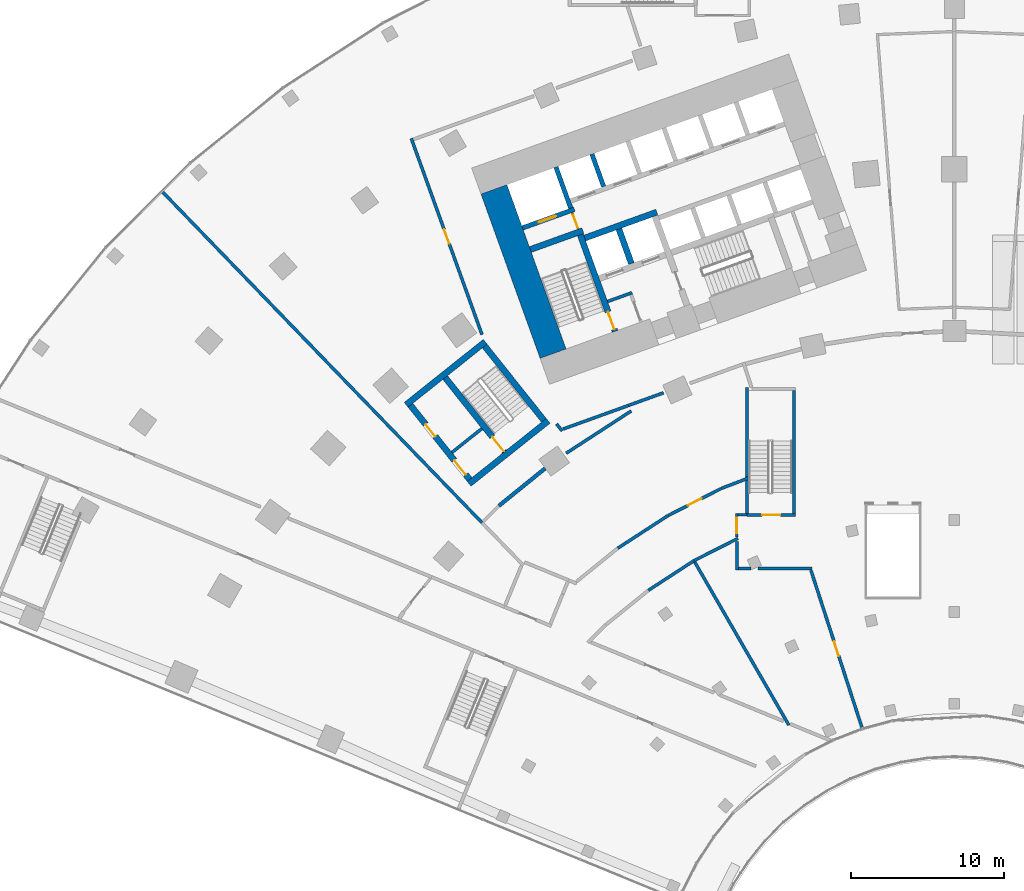
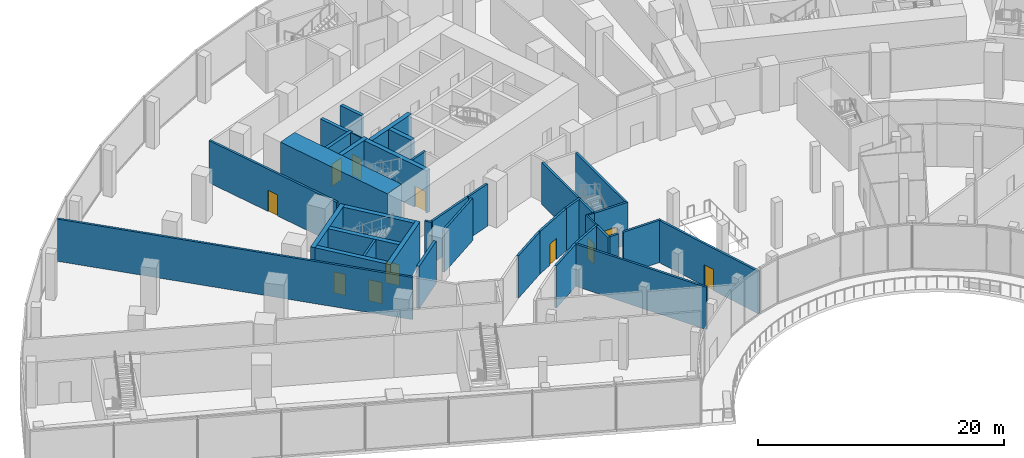
# One storey, part 23 of 40: 39 walls, 11 doors, 11 openings.
"""IFC4 building model written with IfcOpenShell, lengths in metres."""

from ifc_helpers import new_model, si_unit, direction, frame, frame_2d, origin, place, context, subcontext, project, spatial, rectangle, extrude, material, layer, layer_set, type_object, element, fill, save


model = new_model("IFC4")

# Units and contexts
model_context = context("Model", 3, precision=1e-05, world=origin(), true_north=direction((0.0, 1.0)))
body_context = subcontext(model_context, "Body", "Model", "MODEL_VIEW")
ifc_project = project(units=[si_unit("LENGTHUNIT", "METRE"), si_unit("AREAUNIT", "SQUARE_METRE"), si_unit("VOLUMEUNIT", "CUBIC_METRE"), si_unit("PLANEANGLEUNIT", "RADIAN"), si_unit("MASSUNIT", "GRAM", prefix="KILO")], contexts=[model_context])

# Site, building, storey
site_placement = place(None, origin())
site = spatial("IfcSite", under=ifc_project, at=site_placement, CompositionType="ELEMENT")
building_placement = place(site_placement, origin())
building = spatial("IfcBuilding", under=site, at=building_placement, Name="Stone Belt Terrace Tower", CompositionType="ELEMENT")
storey_placement = place(building_placement, frame((0.0, 0.0, 7.0)))
storey = spatial("IfcBuildingStorey", under=building, at=storey_placement, Name="L01", CompositionType="ELEMENT", Elevation=7.0)

# Wall
ifc_material_1 = material(Name="Concrete B30", Category="concrete")
ifc_layer_1 = layer(ifc_material_1, 0.25)
ifc_layer_set_1 = layer_set([ifc_layer_1], Name="Compartment wall 250")
wall_type_1 = type_object("IfcWallType", Name="Compartment wall 250", PredefinedType="SOLIDWALL", material=ifc_layer_set_1)
wall_1_placement = place(storey_placement, frame((-29.73486328125, 33.0341796875, 0.0), z_axis=(0.0, 0.0, 1.0), x_axis=(0.777272744525, 0.629163794746, 0.0)))
element("IfcWall", 1, at=wall_1_placement, inside=storey, type_object=wall_type_1, Name="Compartment wall L01 2", PredefinedType="SOLIDWALL", context=body_context, shape_type="SweptSolid", body=[
    extrude(rectangle(XDim=3.875244140625, YDim=0.25, at=frame_2d((1.9375, 0.0))), origin(), (0.0, 0.0, 1.0), 4.199951171875),
])

# Wall, opening, door
ifc_material_2 = material(Name="Plasterboard partition")
ifc_layer_2 = layer(ifc_material_2, 0.10009765625)
ifc_layer_set_2 = layer_set([ifc_layer_2], Name="Core partition 100")
wall_type_2 = type_object("IfcWallType", Name="Core partition 100", PredefinedType="PARTITIONING", material=ifc_layer_set_2)
wall_2_placement = place(storey_placement, frame((-24.555908203125, 51.10400390625, 0.0), z_axis=(0.0, 0.0, 1.0), x_axis=(-0.338621735342, 0.94092258999, 0.0)))
wall_2 = element("IfcWall", 2, at=wall_2_placement, inside=storey, type_object=wall_type_2, Name="Core A wall", PredefinedType="PARTITIONING", context=body_context, shape_type="SweptSolid", body=[
    extrude(rectangle(XDim=1.14990234375, YDim=0.10009765625, at=frame_2d((0.574951171875, 0.0))), origin(), (0.0, 0.0, 1.0), 4.199951171875),
])
opening_1_placement = place(wall_2_placement, frame((0.050048828125, 0.0, 0.0)))
opening_1 = element("IfcOpeningElement", 3, at=opening_1_placement, cuts=wall_2, Name="Opening L01-C01", PredefinedType="OPENING", context=body_context, shape_type="SweptSolid", body=[
    extrude(rectangle(XDim=1.0, YDim=2.10009765625, at=frame_2d((0.5, 1.050048828125))), frame((0.0, 0.06005859375, 0.0), z_axis=(0.0, -1.0, 0.0), x_axis=(1.0, 0.0, 0.0)), (0.0, 0.0, 1.0), 0.1201171875),
])
ifc_material_3 = material(Name="Timber door leaf", Category="wood")
door_type_1 = type_object("IfcDoorType", Name="Core room door 1000", OperationType="SINGLE_SWING_LEFT", PredefinedType="DOOR", material=ifc_material_3)
door_1_placement = place(opening_1_placement, origin())
door_1 = element("IfcDoor", 4, at=door_1_placement, inside=storey, type_object=door_type_1, Name="Service lift lobby door core A", OperationType="SINGLE_SWING_RIGHT", OverallHeight=2.10009765625, OverallWidth=1.0, PredefinedType="DOOR", context=body_context, shape_type="SweptSolid", body=[
    extrude(rectangle(XDim=1.0, YDim=2.10009765625, at=frame_2d((0.5, 1.050048828125))), frame((0.0, 0.02490234375, 0.0), z_axis=(0.0, -1.0, 0.0), x_axis=(1.0, 0.0, 0.0)), (0.0, 0.0, 1.0), 0.050048828125),
])
fill(opening_1, door_1)

# Walls
ifc_material_4 = material(Name="Concrete B80", Category="concrete")
ifc_layer_3 = layer(ifc_material_4, 1.800048828125)
ifc_layer_set_3 = layer_set([ifc_layer_3], Name="Core wall 1800 B80")
wall_type_3 = type_object("IfcWallType", Name="Core wall 1800 B80", PredefinedType="SHEAR", material=ifc_layer_set_3)
wall_3_placement = place(storey_placement, frame((-26.197509765625, 42.96728515625, 0.0), z_axis=(0.0, 0.0, 1.0), x_axis=(-0.338625431531, 0.940921259788, 0.0)))
element("IfcWall", 5, at=wall_3_placement, inside=storey, type_object=wall_type_3, Name="Core A wall end_a L01", PredefinedType="SHEAR", context=body_context, shape_type="SweptSolid", body=[
    extrude(rectangle(XDim=11.400146484375, YDim=1.800048828125, at=frame_2d((5.7001953125, 0.0))), origin(), (0.0, 0.0, 1.0), 4.60009765625),
])
ifc_layer_4 = layer(ifc_material_4, 0.39990234375)
ifc_layer_set_4 = layer_set([ifc_layer_4], Name="Fire-fighting lift shaft wall 400")
wall_type_4 = type_object("IfcWallType", Name="Fire-fighting lift shaft wall 400", PredefinedType="SHEAR", material=ifc_layer_set_4)
wall_4_placement = place(storey_placement, frame((-24.130615234375, 50.512939453125, 0.0), z_axis=(0.0, 0.0, 1.0), x_axis=(0.94091168377, 0.338652038744, 0.0)))
element("IfcWall", 6, at=wall_4_placement, inside=storey, type_object=wall_type_4, Name="Core A wall", PredefinedType="SHEAR", context=body_context, shape_type="SweptSolid", body=[
    extrude(rectangle(XDim=5.000244140625, YDim=0.39990234375, at=frame_2d((2.5, 0.0))), origin(), (0.0, 0.0, 1.0), 4.199951171875),
])
wall_5_placement = place(storey_placement, frame((-21.0859375, 48.845458984375, 0.0), z_axis=(0.0, 0.0, 1.0), x_axis=(-0.338629416206, 0.940919825745, 0.0)))
element("IfcWall", 7, at=wall_5_placement, inside=storey, type_object=wall_type_4, Name="Core A wall", PredefinedType="SHEAR", context=body_context, shape_type="SweptSolid", body=[
    extrude(rectangle(XDim=2.400146484375, YDim=0.39990234375, at=frame_2d((1.2001953125, 0.0))), origin(), (0.0, 0.0, 1.0), 4.199951171875),
])

# Wall, opening, door
ifc_layer_5 = layer(ifc_material_4, 0.300048828125)
ifc_layer_set_5 = layer_set([ifc_layer_5], Name="Lift shaft wall 300")
wall_type_5 = type_object("IfcWallType", Name="Lift shaft wall 300", PredefinedType="SHEAR", material=ifc_layer_set_5)
wall_6_placement = place(storey_placement, frame((-28.195068359375, 51.17578125, 0.0), z_axis=(0.0, 0.0, 1.0), x_axis=(0.940901243567, 0.338681044427, 0.0)))
wall_6 = element("IfcWall", 8, at=wall_6_placement, inside=storey, type_object=wall_type_5, Name="Core A wall", PredefinedType="SHEAR", context=body_context, shape_type="SweptSolid", body=[
    extrude(rectangle(XDim=3.599853515625, YDim=0.300048828125, at=frame_2d((1.7998046875, 0.0))), origin(), (0.0, 0.0, 1.0), 4.199951171875),
])
opening_2_placement = place(wall_6_placement, frame((1.1201171875, 0.0, 0.0)))
opening_2 = element("IfcOpeningElement", 9, at=opening_2_placement, cuts=wall_6, Name="Opening L01-LD09", PredefinedType="OPENING", context=body_context, shape_type="SweptSolid", body=[
    extrude(rectangle(XDim=1.199951171875, YDim=2.199951171875, at=frame_2d((0.60009765625, 1.10009765625))), frame((0.0, 0.159912109375, 0.0), z_axis=(0.0, -1.0, 0.0), x_axis=(1.0, 0.0, 0.0)), (0.0, 0.0, 1.0), 0.320068359375),
])
ifc_material_5 = material(Name="Stainless steel door leaf", Category="steel")
door_type_2 = type_object("IfcDoorType", Name="Landing door 1200", OperationType="SLIDING_TO_LEFT", PredefinedType="DOOR", material=ifc_material_5)
door_2_placement = place(opening_2_placement, origin())
door_2 = element("IfcDoor", 10, at=door_2_placement, inside=storey, type_object=door_type_2, Name="Landing door SV1 core A", OperationType="SLIDING_TO_LEFT", OverallHeight=2.199951171875, OverallWidth=1.199951171875, PredefinedType="DOOR", context=body_context, shape_type="SweptSolid", body=[
    extrude(rectangle(XDim=1.199951171875, YDim=2.199951171875, at=frame_2d((0.60009765625, 1.10009765625))), frame((0.0, 0.02490234375, 0.0), z_axis=(0.0, -1.0, 0.0), x_axis=(1.0, 0.0, 0.0)), (0.0, 0.0, 1.0), 0.050048828125),
])
fill(opening_2, door_2)

# Walls
wall_7_placement = place(storey_placement, frame((-25.046875, 52.46826171875, 0.0), z_axis=(0.0, 0.0, 1.0), x_axis=(-0.338549588058, 0.940948551423, 0.0)))
element("IfcWall", 11, at=wall_7_placement, inside=storey, type_object=wall_type_5, Name="Core A wall", PredefinedType="SHEAR", context=body_context, shape_type="SweptSolid", body=[
    extrude(rectangle(XDim=2.849853515625, YDim=0.300048828125, at=frame_2d((1.4248046875, 0.0))), origin(), (0.0, 0.0, 1.0), 4.199951171875),
])
wall_8_placement = place(storey_placement, frame((-22.897705078125, 53.87939453125, 0.0), z_axis=(0.0, 0.0, 1.0), x_axis=(-0.338535034312, 0.940953787677, 0.0)))
element("IfcWall", 12, at=wall_8_placement, inside=storey, type_object=wall_type_5, Name="Core A wall", PredefinedType="SHEAR", context=body_context, shape_type="SweptSolid", body=[
    extrude(rectangle(XDim=2.25, YDim=0.300048828125, at=frame_2d((1.125, 0.0))), origin(), (0.0, 0.0, 1.0), 4.199951171875),
])
ifc_material_6 = material(Name="Blockwork wall, plastered both faces", Category="masonry")
ifc_layer_6 = layer(ifc_material_6, 0.199951171875)
ifc_layer_set_6 = layer_set([ifc_layer_6], Name="Podium demising wall 200")
wall_type_6 = type_object("IfcWallType", Name="Podium demising wall 200", PredefinedType="PARTITIONING", material=ifc_layer_set_6)
wall_9_placement = place(storey_placement, frame((-51.75537109375, 53.587646484375, 0.0), z_axis=(0.0, 0.0, 1.0), x_axis=(0.694673955878, -0.719324749349, 0.0)))
element("IfcWall", 13, at=wall_9_placement, inside=storey, type_object=wall_type_6, Name="Podium demising wall 200", PredefinedType="PARTITIONING", context=body_context, shape_type="SweptSolid", body=[
    extrude(rectangle(XDim=30.108154296875, YDim=0.199951171875, at=frame_2d((15.05419921875, 0.0))), origin(), (0.0, 0.0, 1.0), 4.199951171875),
])

# Wall, opening, door
wall_10_placement = place(storey_placement, frame((-35.453857421875, 57.01416015625, 0.0), z_axis=(0.0, 0.0, 1.0), x_axis=(0.338996403391, -0.940787669184, 0.0)))
wall_10 = element("IfcWall", 14, at=wall_10_placement, inside=storey, type_object=wall_type_6, Name="Podium demising wall 200", PredefinedType="PARTITIONING", context=body_context, shape_type="SweptSolid", body=[
    extrude(rectangle(XDim=13.610107421875, YDim=0.199951171875, at=frame_2d((6.80517578125, 0.0))), origin(), (0.0, 0.0, 1.0), 4.199951171875),
])
opening_3_placement = place(wall_10_placement, frame((6.304931640625, 0.0, 0.0)))
opening_3 = element("IfcOpeningElement", 15, at=opening_3_placement, cuts=wall_10, Name="Opening L01-P26", PredefinedType="OPENING", context=body_context, shape_type="SweptSolid", body=[
    extrude(rectangle(XDim=1.0, YDim=2.10009765625, at=frame_2d((0.5, 1.050048828125))), frame((0.0, 0.10986328125, 0.0), z_axis=(0.0, -1.0, 0.0), x_axis=(1.0, 0.0, 0.0)), (0.0, 0.0, 1.0), 0.219970703125),
])
ifc_material_7 = material(Name="Steel framed door leaf", Category="steel")
door_type_3 = type_object("IfcDoorType", Name="Podium door single 1000", OperationType="SINGLE_SWING_LEFT", PredefinedType="DOOR", material=ifc_material_7)
door_3_placement = place(opening_3_placement, origin())
door_3 = element("IfcDoor", 16, at=door_3_placement, inside=storey, type_object=door_type_3, Name="Podium door single 1000", OperationType="SINGLE_SWING_RIGHT", OverallHeight=2.10009765625, OverallWidth=1.0, PredefinedType="DOOR", context=body_context, shape_type="SweptSolid", body=[
    extrude(rectangle(XDim=1.0, YDim=2.10009765625, at=frame_2d((0.5, 1.050048828125))), frame((0.0, 0.02490234375, 0.0), z_axis=(0.0, -1.0, 0.0), x_axis=(1.0, 0.0, 0.0)), (0.0, 0.0, 1.0), 0.050048828125),
])
fill(opening_3, door_3)

# Walls
wall_11_placement = place(storey_placement, frame((-25.344482421875, 36.4638671875, 0.0), z_axis=(0.0, 0.0, 1.0), x_axis=(0.838508558451, 0.544888426565, 0.0)))
element("IfcWall", 17, at=wall_11_placement, inside=storey, type_object=wall_type_6, Name="Podium demising wall 200", PredefinedType="PARTITIONING", context=body_context, shape_type="SweptSolid", body=[
    extrude(rectangle(XDim=5.067138671875, YDim=0.199951171875, at=frame_2d((2.53369140625, 0.0))), origin(), (0.0, 0.0, 1.0), 4.199951171875),
])
wall_12_placement = place(storey_placement, frame((-25.969970703125, 38.3798828125, 0.0), z_axis=(0.0, 0.0, 1.0), x_axis=(0.619630859063, -0.784893367596, 0.0)))
element("IfcWall", 18, at=wall_12_placement, inside=storey, type_object=wall_type_6, Name="Podium demising wall 200", PredefinedType="PARTITIONING", context=body_context, shape_type="SweptSolid", body=[
    extrude(rectangle(XDim=0.58935546875, YDim=0.199951171875, at=frame_2d((0.294677734375, 0.0))), origin(), (0.0, 0.0, 1.0), 4.199951171875),
])
wall_13_placement = place(storey_placement, frame((-25.548095703125, 38.0439453125, 0.0), z_axis=(0.0, 0.0, 1.0), x_axis=(0.94075645794, 0.339083008782, 0.0)))
element("IfcWall", 19, at=wall_13_placement, inside=storey, type_object=wall_type_6, Name="Podium demising wall 200", PredefinedType="PARTITIONING", context=body_context, shape_type="SweptSolid", body=[
    extrude(rectangle(XDim=4.541748046875, YDim=0.199951171875, at=frame_2d((2.27099609375, 0.0))), origin(), (0.0, 0.0, 1.0), 4.199951171875),
])
wall_14_placement = place(storey_placement, frame((-21.9755859375, 30.262939453125, 0.0), z_axis=(0.0, 0.0, 1.0), x_axis=(0.838682356888, 0.544620881206, 0.0)))
element("IfcWall", 20, at=wall_14_placement, inside=storey, type_object=wall_type_6, Name="Podium demising wall 200", PredefinedType="PARTITIONING", context=body_context, shape_type="SweptSolid", body=[
    extrude(rectangle(XDim=3.900390625, YDim=0.199951171875, at=frame_2d((1.9501953125, 0.0))), origin(), (0.0, 0.0, 1.0), 4.199951171875),
])
wall_15_placement = place(storey_placement, frame((-21.274658203125, 39.587890625, 0.0), z_axis=(0.0, 0.0, 1.0), x_axis=(0.940902775347, 0.338676788906, 0.0)))
element("IfcWall", 21, at=wall_15_placement, inside=storey, type_object=wall_type_6, Name="Podium demising wall 200", PredefinedType="PARTITIONING", context=body_context, shape_type="SweptSolid", body=[
    extrude(rectangle(XDim=2.4306640625, YDim=0.199951171875, at=frame_2d((1.21533203125, 0.0))), origin(), (0.0, 0.0, 1.0), 4.199951171875),
])
wall_16_placement = place(storey_placement, frame((-19.9755859375, 27.5126953125, 0.0), z_axis=(0.0, 0.0, 1.0), x_axis=(0.838050073908, 0.545593322561, 0.0)))
element("IfcWall", 22, at=wall_16_placement, inside=storey, type_object=wall_type_6, Name="Podium demising wall 200", PredefinedType="PARTITIONING", context=body_context, shape_type="SweptSolid", body=[
    extrude(rectangle(XDim=3.54541015625, YDim=0.199951171875, at=frame_2d((1.772705078125, 0.0))), origin(), (0.0, 0.0, 1.0), 4.199951171875),
])

# Wall, opening, door
wall_17_placement = place(storey_placement, frame((-18.6953125, 32.392333984375, 0.0), z_axis=(0.0, 0.0, 1.0), x_axis=(0.890824328321, 0.454347902022, 0.0)))
wall_17 = element("IfcWall", 23, at=wall_17_placement, inside=storey, type_object=wall_type_6, Name="Podium demising wall 200", PredefinedType="PARTITIONING", context=body_context, shape_type="SweptSolid", body=[
    extrude(rectangle(XDim=3.906982421875, YDim=0.199951171875, at=frame_2d((1.95361328125, 0.0))), origin(), (0.0, 0.0, 1.0), 4.199951171875),
])
opening_4_placement = place(wall_17_placement, frame((1.45361328125, 0.0, 0.0)))
opening_4 = element("IfcOpeningElement", 24, at=opening_4_placement, cuts=wall_17, Name="Opening L01-P27", PredefinedType="OPENING", context=body_context, shape_type="SweptSolid", body=[
    extrude(rectangle(XDim=1.0, YDim=2.10009765625, at=frame_2d((0.5, 1.050048828125))), frame((0.0, 0.10986328125, 0.0), z_axis=(0.0, -1.0, 0.0), x_axis=(1.0, 0.0, 0.0)), (0.0, 0.0, 1.0), 0.219970703125),
])
door_4_placement = place(opening_4_placement, origin())
door_4 = element("IfcDoor", 25, at=door_4_placement, inside=storey, type_object=door_type_3, Name="Podium door single 1000", OperationType="SINGLE_SWING_LEFT", OverallHeight=2.10009765625, OverallWidth=1.0, PredefinedType="DOOR", context=body_context, shape_type="SweptSolid", body=[
    extrude(rectangle(XDim=1.0, YDim=2.10009765625, at=frame_2d((0.5, 1.050048828125))), frame((0.0, 0.02490234375, 0.0), z_axis=(0.0, -1.0, 0.0), x_axis=(1.0, 0.0, 0.0)), (0.0, 0.0, 1.0), 0.050048828125),
])
fill(opening_4, door_4)

# Walls
wall_18_placement = place(storey_placement, frame((-16.9951171875, 29.452392578125, 0.0), z_axis=(0.0, 0.0, 1.0), x_axis=(0.891863612921, 0.452304428397, 0.0)))
element("IfcWall", 26, at=wall_18_placement, inside=storey, type_object=wall_type_6, Name="Podium demising wall 200", PredefinedType="PARTITIONING", context=body_context, shape_type="SweptSolid", body=[
    extrude(rectangle(XDim=3.218017578125, YDim=0.199951171875, at=frame_2d((1.60888671875, 0.0))), origin(), (0.0, 0.0, 1.0), 4.199951171875),
])
wall_19_placement = place(storey_placement, frame((-16.949951171875, 29.36328125, 0.0), z_axis=(0.0, 0.0, 1.0), x_axis=(0.499745957216, -0.866172025782, 0.0)))
element("IfcWall", 27, at=wall_19_placement, inside=storey, type_object=wall_type_6, Name="Podium demising wall 200", PredefinedType="PARTITIONING", context=body_context, shape_type="SweptSolid", body=[
    extrude(rectangle(XDim=12.28955078125, YDim=0.199951171875, at=frame_2d((6.144775390625, 0.0))), origin(), (0.0, 0.0, 1.0), 4.199951171875),
])
wall_20_placement = place(storey_placement, frame((-15.205078125, 34.171875, 0.0), z_axis=(0.0, 0.0, 1.0), x_axis=(0.934483662883, 0.356006016529, 0.0)))
element("IfcWall", 28, at=wall_20_placement, inside=storey, type_object=wall_type_6, Name="Podium demising wall 200", PredefinedType="PARTITIONING", context=body_context, shape_type="SweptSolid", body=[
    extrude(rectangle(XDim=1.899658203125, YDim=0.199951171875, at=frame_2d((0.94970703125, 0.0))), origin(), (0.0, 0.0, 1.0), 4.199951171875),
])
wall_21_placement = place(storey_placement, frame((-14.199951171875, 28.840087890625, 0.0), z_axis=(0.0, 0.0, 1.0), x_axis=(0.0, 1.0, 0.0)))
element("IfcWall", 29, at=wall_21_placement, inside=storey, type_object=wall_type_6, Name="Podium demising wall 200", PredefinedType="PARTITIONING", context=body_context, shape_type="SweptSolid", body=[
    extrude(rectangle(XDim=1.867919921875, YDim=0.199951171875, at=frame_2d((0.93408203125, 0.0))), origin(), (0.0, 0.0, 1.0), 4.199951171875),
])
wall_22_placement = place(storey_placement, frame((-14.10009765625, 28.93994140625, 0.0), z_axis=(0.0, 0.0, 1.0), x_axis=(1.0, 0.0, 0.0)))
element("IfcWall", 30, at=wall_22_placement, inside=storey, type_object=wall_type_6, Name="Podium demising wall 200", PredefinedType="PARTITIONING", context=body_context, shape_type="SweptSolid", body=[
    extrude(rectangle(XDim=0.810546875, YDim=0.199951171875, at=frame_2d((0.4052734375, 0.0))), origin(), (0.0, 0.0, 1.0), 4.199951171875),
])
wall_23_placement = place(storey_placement, frame((-12.822998046875, 28.93994140625, 0.0), z_axis=(0.0, 0.0, 1.0), x_axis=(1.0, 0.0, 0.0)))
element("IfcWall", 31, at=wall_23_placement, inside=storey, type_object=wall_type_6, Name="Podium demising wall 200", PredefinedType="PARTITIONING", context=body_context, shape_type="SweptSolid", body=[
    extrude(rectangle(XDim=3.528076171875, YDim=0.199951171875, at=frame_2d((1.76416015625, 0.0))), origin(), (0.0, 0.0, 1.0), 4.199951171875),
])

# Wall, opening, door
wall_24_placement = place(storey_placement, frame((-9.36083984375, 28.819091796875, 0.0), z_axis=(0.0, 0.0, 1.0), x_axis=(0.308530690488, -0.951214388572, 0.0)))
wall_24 = element("IfcWall", 32, at=wall_24_placement, inside=storey, type_object=wall_type_6, Name="Podium demising wall 200", PredefinedType="PARTITIONING", context=body_context, shape_type="SweptSolid", body=[
    extrude(rectangle(XDim=10.795654296875, YDim=0.199951171875, at=frame_2d((5.39794921875, 0.0))), origin(), (0.0, 0.0, 1.0), 4.199951171875),
])
opening_5_placement = place(wall_24_placement, frame((4.886962890625, 0.0, 0.0)))
opening_5 = element("IfcOpeningElement", 33, at=opening_5_placement, cuts=wall_24, Name="Opening L01-P24", PredefinedType="OPENING", context=body_context, shape_type="SweptSolid", body=[
    extrude(rectangle(XDim=1.0, YDim=2.10009765625, at=frame_2d((0.5, 1.050048828125))), frame((0.0, 0.10986328125, 0.0), z_axis=(0.0, -1.0, 0.0), x_axis=(1.0, 0.0, 0.0)), (0.0, 0.0, 1.0), 0.219970703125),
])
door_5_placement = place(opening_5_placement, origin())
door_5 = element("IfcDoor", 34, at=door_5_placement, inside=storey, type_object=door_type_3, Name="Podium door single 1000", OperationType="SINGLE_SWING_RIGHT", OverallHeight=2.10009765625, OverallWidth=1.0, PredefinedType="DOOR", context=body_context, shape_type="SweptSolid", body=[
    extrude(rectangle(XDim=1.0, YDim=2.10009765625, at=frame_2d((0.5, 1.050048828125))), frame((0.0, 0.02490234375, 0.0), z_axis=(0.0, -1.0, 0.0), x_axis=(1.0, 0.0, 0.0)), (0.0, 0.0, 1.0), 0.050048828125),
])
fill(opening_5, door_5)

ifc_material_8 = material(Name="Gypsum board on steel stud partition", Category="steel")
ifc_layer_7 = layer(ifc_material_8, 0.14990234375)
ifc_layer_set_7 = layer_set([ifc_layer_7], Name="Podium partition 150")
wall_type_7 = type_object("IfcWallType", Name="Podium partition 150", PredefinedType="PARTITIONING", material=ifc_layer_set_7)
wall_25_placement = place(storey_placement, frame((-14.199951171875, 30.982177734375, 0.0), z_axis=(0.0, 0.0, 1.0), x_axis=(0.0, 1.0, 0.0)))
wall_25 = element("IfcWall", 35, at=wall_25_placement, inside=storey, type_object=wall_type_7, Name="Podium partition 150", PredefinedType="PARTITIONING", context=body_context, shape_type="SweptSolid", body=[
    extrude(rectangle(XDim=1.53271484375, YDim=0.14990234375, at=frame_2d((0.766357421875, 0.0))), origin(), (0.0, 0.0, 1.0), 4.199951171875),
])
opening_6_placement = place(wall_25_placement, frame((0.266357421875, 0.0, 0.0)))
opening_6 = element("IfcOpeningElement", 36, at=opening_6_placement, cuts=wall_25, Name="Opening L01-P39", PredefinedType="OPENING", context=body_context, shape_type="SweptSolid", body=[
    extrude(rectangle(XDim=1.0, YDim=2.10009765625, at=frame_2d((0.5, 1.050048828125))), frame((0.0, 0.0849609375, 0.0), z_axis=(0.0, -1.0, 0.0), x_axis=(1.0, 0.0, 0.0)), (0.0, 0.0, 1.0), 0.169921875),
])
door_6_placement = place(opening_6_placement, origin())
door_6 = element("IfcDoor", 37, at=door_6_placement, inside=storey, type_object=door_type_3, Name="Podium door single 1000", OperationType="SINGLE_SWING_LEFT", OverallHeight=2.10009765625, OverallWidth=1.0, PredefinedType="DOOR", context=body_context, shape_type="SweptSolid", body=[
    extrude(rectangle(XDim=1.0, YDim=2.10009765625, at=frame_2d((0.5, 1.050048828125))), frame((0.0, 0.02490234375, 0.0), z_axis=(0.0, -1.0, 0.0), x_axis=(1.0, 0.0, 0.0)), (0.0, 0.0, 1.0), 0.050048828125),
])
fill(opening_6, door_6)

# Walls
wall_26_placement = place(storey_placement, frame((-14.125, 32.43994140625, 0.0), z_axis=(0.0, 0.0, 1.0), x_axis=(1.0, 0.0, 0.0)))
element("IfcWall", 38, at=wall_26_placement, inside=storey, type_object=wall_type_7, Name="Podium partition 150", PredefinedType="PARTITIONING", context=body_context, shape_type="SweptSolid", body=[
    extrude(rectangle(XDim=0.594970703125, YDim=0.14990234375, at=frame_2d((0.29736328125, 0.0))), origin(), (0.0, 0.0, 1.0), 4.199951171875),
])
ifc_layer_8 = layer(ifc_material_1, 0.199951171875)
ifc_layer_set_8 = layer_set([ifc_layer_8], Name="Podium stair and shaft wall 200")
wall_type_8 = type_object("IfcWallType", Name="Podium stair and shaft wall 200", PredefinedType="SOLIDWALL", material=ifc_layer_set_8)
wall_27_placement = place(storey_placement, frame((-13.530029296875, 32.5400390625, 0.0), z_axis=(0.0, 0.0, 1.0), x_axis=(0.0, 1.0, 0.0)))
element("IfcWall", 39, at=wall_27_placement, inside=storey, type_object=wall_type_8, Name="Podium stair and shaft wall 200", PredefinedType="SOLIDWALL", context=body_context, shape_type="SweptSolid", body=[
    extrude(rectangle(XDim=2.40087890625, YDim=0.199951171875, at=frame_2d((1.200439453125, 0.0))), origin(), (0.0, 0.0, 1.0), 4.199951171875),
])

# Wall, opening, door
wall_28_placement = place(storey_placement, frame((-13.530029296875, 32.43994140625, 0.0), z_axis=(0.0, 0.0, 1.0), x_axis=(1.0, 0.0, 0.0)))
wall_28 = element("IfcWall", 40, at=wall_28_placement, inside=storey, type_object=wall_type_8, Name="Podium stair and shaft wall 200", PredefinedType="SOLIDWALL", context=body_context, shape_type="SweptSolid", body=[
    extrude(rectangle(XDim=3.159912109375, YDim=0.199951171875, at=frame_2d((1.580078125, 0.0))), origin(), (0.0, 0.0, 1.0), 4.199951171875),
])
opening_7_placement = place(wall_28_placement, frame((0.97998046875, 0.0, 0.0)))
opening_7 = element("IfcOpeningElement", 41, at=opening_7_placement, cuts=wall_28, Name="Opening L01-P05", PredefinedType="OPENING", context=body_context, shape_type="SweptSolid", body=[
    extrude(rectangle(XDim=1.199951171875, YDim=2.10009765625, at=frame_2d((0.60009765625, 1.050048828125))), frame((0.0, 0.10986328125, 0.0), z_axis=(0.0, -1.0, 0.0), x_axis=(1.0, 0.0, 0.0)), (0.0, 0.0, 1.0), 0.219970703125),
])
door_type_4 = type_object("IfcDoorType", Name="Podium door fire stair 1200", OperationType="SINGLE_SWING_LEFT", PredefinedType="DOOR", material=ifc_material_7)
door_7_placement = place(opening_7_placement, origin())
door_7 = element("IfcDoor", 42, at=door_7_placement, inside=storey, type_object=door_type_4, Name="Podium door fire stair 1200", OperationType="SINGLE_SWING_LEFT", OverallHeight=2.10009765625, OverallWidth=1.199951171875, PredefinedType="DOOR", context=body_context, shape_type="SweptSolid", body=[
    extrude(rectangle(XDim=1.199951171875, YDim=2.10009765625, at=frame_2d((0.60009765625, 1.050048828125))), frame((0.0, 0.02490234375, 0.0), z_axis=(0.0, -1.0, 0.0), x_axis=(1.0, 0.0, 0.0)), (0.0, 0.0, 1.0), 0.050048828125),
])
fill(opening_7, door_7)

# Walls
wall_29_placement = place(storey_placement, frame((-13.530029296875, 34.94091796875, 0.0), z_axis=(0.0, 0.0, 1.0), x_axis=(0.0, 1.0, 0.0)))
element("IfcWall", 43, at=wall_29_placement, inside=storey, type_object=wall_type_8, Name="Podium stair and shaft wall 200", PredefinedType="SOLIDWALL", context=body_context, shape_type="SweptSolid", body=[
    extrude(rectangle(XDim=5.819091796875, YDim=0.199951171875, at=frame_2d((2.90966796875, 0.0))), origin(), (0.0, 0.0, 1.0), 4.199951171875),
])
wall_30_placement = place(storey_placement, frame((-10.469970703125, 32.5400390625, 0.0), z_axis=(0.0, 0.0, 1.0), x_axis=(0.0, 1.0, 0.0)))
element("IfcWall", 44, at=wall_30_placement, inside=storey, type_object=wall_type_8, Name="Podium stair and shaft wall 200", PredefinedType="SOLIDWALL", context=body_context, shape_type="SweptSolid", body=[
    extrude(rectangle(XDim=8.02001953125, YDim=0.199951171875, at=frame_2d((4.010009765625, 0.0))), origin(), (0.0, 0.0, 1.0), 4.199951171875),
])
ifc_material_9 = material(Name="Concrete masonry block", Category="masonry")
ifc_layer_9 = layer(ifc_material_9, 0.199951171875)
ifc_layer_set_9 = layer_set([ifc_layer_9], Name="Rated lobby wall 200")
wall_type_9 = type_object("IfcWallType", Name="Rated lobby wall 200", PredefinedType="PARTITIONING", material=ifc_layer_set_9)
wall_31_placement = place(storey_placement, frame((-22.640625, 46.373046875, 0.0), z_axis=(0.0, 0.0, 1.0), x_axis=(0.940966110313, 0.338500781747, 0.0)))
element("IfcWall", 45, at=wall_31_placement, inside=storey, type_object=wall_type_9, Name="Core A wall", PredefinedType="PARTITIONING", context=body_context, shape_type="SweptSolid", body=[
    extrude(rectangle(XDim=1.699951171875, YDim=0.199951171875, at=frame_2d((0.85009765625, 0.0))), origin(), (0.0, 0.0, 1.0), 4.199951171875),
])
wall_32_placement = place(storey_placement, frame((-30.845703125, 38.074951171875, 0.0), z_axis=(0.0, 0.0, 1.0), x_axis=(-0.782115323833, -0.623133709749, 0.0)))
element("IfcWall", 46, at=wall_32_placement, inside=storey, type_object=wall_type_9, Name="Exit stair ST3A wall", PredefinedType="PARTITIONING", context=body_context, shape_type="SweptSolid", body=[
    extrude(rectangle(XDim=2.5, YDim=0.199951171875, at=frame_2d((1.25, 0.0))), origin(), (0.0, 0.0, 1.0), 4.199951171875),
])
ifc_layer_10 = layer(ifc_material_4, 0.39990234375)
ifc_layer_set_10 = layer_set([ifc_layer_10], Name="Stair enclosure wall 400")
wall_type_10 = type_object("IfcWallType", Name="Stair enclosure wall 400", PredefinedType="SHEAR", material=ifc_layer_set_10)
wall_33_placement = place(storey_placement, frame((-27.687255859375, 49.764404296875, 0.0), z_axis=(0.0, 0.0, 1.0), x_axis=(0.940918954884, 0.338631835981, 0.0)))
element("IfcWall", 47, at=wall_33_placement, inside=storey, type_object=wall_type_10, Name="Core A wall", PredefinedType="SHEAR", context=body_context, shape_type="SweptSolid", body=[
    extrude(rectangle(XDim=3.650146484375, YDim=0.39990234375, at=frame_2d((1.8251953125, 0.0))), origin(), (0.0, 0.0, 1.0), 4.199951171875),
])

# Wall, opening, door
wall_34_placement = place(storey_placement, frame((-22.151611328125, 44.42333984375, 0.0), z_axis=(0.0, 0.0, 1.0), x_axis=(-0.338625272931, 0.940921316866, 0.0)))
wall_34 = element("IfcWall", 48, at=wall_34_placement, inside=storey, type_object=wall_type_10, Name="Core A wall", PredefinedType="SHEAR", context=body_context, shape_type="SweptSolid", body=[
    extrude(rectangle(XDim=6.699951171875, YDim=0.39990234375, at=frame_2d((3.35009765625, 0.0))), origin(), (0.0, 0.0, 1.0), 4.199951171875),
])
opening_8_placement = place(wall_34_placement, frame((0.14990234375, 0.0, 0.0)))
opening_8 = element("IfcOpeningElement", 49, at=opening_8_placement, cuts=wall_34, Name="Opening L01-C03", PredefinedType="OPENING", context=body_context, shape_type="SweptSolid", body=[
    extrude(rectangle(XDim=1.199951171875, YDim=2.10009765625, at=frame_2d((0.60009765625, 1.050048828125))), frame((0.0, 0.2099609375, 0.0), z_axis=(0.0, -1.0, 0.0), x_axis=(1.0, 0.0, 0.0)), (0.0, 0.0, 1.0), 0.419921875),
])
ifc_material_10 = material(Name="Steel door leaf", Category="steel")
door_type_5 = type_object("IfcDoorType", Name="Stair door 1200", OperationType="SINGLE_SWING_LEFT", PredefinedType="DOOR", material=ifc_material_10)
door_8_placement = place(opening_8_placement, origin())
door_8 = element("IfcDoor", 50, at=door_8_placement, inside=storey, type_object=door_type_5, Name="Stair 1 door core A", OperationType="SINGLE_SWING_RIGHT", OverallHeight=2.10009765625, OverallWidth=1.199951171875, PredefinedType="DOOR", context=body_context, shape_type="SweptSolid", body=[
    extrude(rectangle(XDim=1.199951171875, YDim=2.10009765625, at=frame_2d((0.60009765625, 1.050048828125))), frame((0.0, 0.02490234375, 0.0), z_axis=(0.0, -1.0, 0.0), x_axis=(1.0, 0.0, 0.0)), (0.0, 0.0, 1.0), 0.050048828125),
])
fill(opening_8, door_8)

# Walls
for number, where, z_axis, x_axis, name in (
    (51, (-26.518798828125, 38.58154296875, 0.0), (0.0, 0.0, 1.0), (-0.782133914161, -0.623110375711, 0.0), "Exit stair ST3A wall"),
    (52, (-30.63134765625, 43.74365234375, 0.0), (0.0, 0.0, 1.0), (-0.782133914161, -0.623110375711, 0.0), "Exit stair ST3A wall"),
):
    element("IfcWall", number, at=place(storey_placement, frame(where, z_axis=z_axis, x_axis=x_axis)), inside=storey, type_object=wall_type_10, Name=name, PredefinedType="SHEAR", context=body_context, shape_type="SweptSolid", body=[
        extrude(rectangle(XDim=6.60009765625, YDim=0.39990234375, at=frame_2d((3.300048828125, 0.0))), origin(), (0.0, 0.0, 1.0), 4.199951171875),
    ])
wall_35_placement = place(storey_placement, frame((-26.7998046875, 38.61328125, 0.0), z_axis=(0.0, 0.0, 1.0), x_axis=(-0.623118653668, 0.782127319208, 0.0)))
element("IfcWall", 53, at=wall_35_placement, inside=storey, type_object=wall_type_10, Name="Exit stair ST3A wall", PredefinedType="SHEAR", context=body_context, shape_type="SweptSolid", body=[
    extrude(rectangle(XDim=6.199951171875, YDim=0.39990234375, at=frame_2d((3.10009765625, 0.0))), origin(), (0.0, 0.0, 1.0), 4.199951171875),
])

# Wall, openings, doors
wall_36_placement = place(storey_placement, frame((-31.64892578125, 34.75, 0.0), z_axis=(0.0, 0.0, 1.0), x_axis=(-0.623118653668, 0.782127319208, 0.0)))
wall_36 = element("IfcWall", 54, at=wall_36_placement, inside=storey, type_object=wall_type_10, Name="Exit stair ST3A wall", PredefinedType="SHEAR", context=body_context, shape_type="SweptSolid", body=[
    extrude(rectangle(XDim=6.199951171875, YDim=0.39990234375, at=frame_2d((3.10009765625, 0.0))), origin(), (0.0, 0.0, 1.0), 4.199951171875),
])
opening_9_placement = place(wall_36_placement, frame((0.39990234375, 0.0, 0.0)))
opening_9 = element("IfcOpeningElement", 55, at=opening_9_placement, cuts=wall_36, Name="Opening L01-C20", PredefinedType="OPENING", context=body_context, shape_type="SweptSolid", body=[
    extrude(rectangle(XDim=1.199951171875, YDim=2.10009765625, at=frame_2d((0.60009765625, 1.050048828125))), frame((0.0, 0.2099609375, 0.0), z_axis=(0.0, -1.0, 0.0), x_axis=(1.0, 0.0, 0.0)), (0.0, 0.0, 1.0), 0.419921875),
])
opening_10_placement = place(wall_36_placement, frame((3.60009765625, 0.0, 0.0)))
opening_10 = element("IfcOpeningElement", 56, at=opening_10_placement, cuts=wall_36, Name="Opening L01-C21", PredefinedType="OPENING", context=body_context, shape_type="SweptSolid", body=[
    extrude(rectangle(XDim=1.0, YDim=2.10009765625, at=frame_2d((0.5, 1.050048828125))), frame((0.0, 0.2099609375, 0.0), z_axis=(0.0, -1.0, 0.0), x_axis=(1.0, 0.0, 0.0)), (0.0, 0.0, 1.0), 0.419921875),
])
door_9_placement = place(opening_10_placement, origin())
door_9 = element("IfcDoor", 57, at=door_9_placement, inside=storey, type_object=door_type_1, Name="Door to stair pressurisation plant room ST3A", OperationType="SINGLE_SWING_LEFT", OverallHeight=2.10009765625, OverallWidth=1.0, PredefinedType="DOOR", context=body_context, shape_type="SweptSolid", body=[
    extrude(rectangle(XDim=1.0, YDim=2.10009765625, at=frame_2d((0.5, 1.050048828125))), frame((0.0, 0.02490234375, 0.0), z_axis=(0.0, -1.0, 0.0), x_axis=(1.0, 0.0, 0.0)), (0.0, 0.0, 1.0), 0.050048828125),
])
fill(opening_10, door_9)
door_type_6 = type_object("IfcDoorType", Name="Stair airlock door 1200", OperationType="SINGLE_SWING_LEFT", PredefinedType="DOOR", material=ifc_material_10)
door_10_placement = place(opening_9_placement, origin())
door_10 = element("IfcDoor", 58, at=door_10_placement, inside=storey, type_object=door_type_6, Name="Stair airlock door ST3A", OperationType="SINGLE_SWING_LEFT", OverallHeight=2.10009765625, OverallWidth=1.199951171875, PredefinedType="DOOR", context=body_context, shape_type="SweptSolid", body=[
    extrude(rectangle(XDim=1.199951171875, YDim=2.10009765625, at=frame_2d((0.60009765625, 1.050048828125))), frame((0.0, 0.02490234375, 0.0), z_axis=(0.0, -1.0, 0.0), x_axis=(1.0, 0.0, 0.0)), (0.0, 0.0, 1.0), 0.050048828125),
])
fill(opening_9, door_10)

# Wall, opening, door
wall_37_placement = place(storey_placement, frame((-29.380859375, 36.556884765625, 0.0), z_axis=(0.0, 0.0, 1.0), x_axis=(-0.623099462847, 0.782142608097, 0.0)))
wall_37 = element("IfcWall", 59, at=wall_37_placement, inside=storey, type_object=wall_type_10, Name="Exit stair ST3A wall", PredefinedType="SHEAR", context=body_context, shape_type="SweptSolid", body=[
    extrude(rectangle(XDim=6.2001953125, YDim=0.39990234375, at=frame_2d((3.10009765625, 0.0))), origin(), (0.0, 0.0, 1.0), 4.199951171875),
])
opening_11_placement = place(wall_37_placement, frame((0.050048828125, 0.0, 0.0)))
opening_11 = element("IfcOpeningElement", 60, at=opening_11_placement, cuts=wall_37, Name="Opening L01-C19", PredefinedType="OPENING", context=body_context, shape_type="SweptSolid", body=[
    extrude(rectangle(XDim=1.199951171875, YDim=2.10009765625, at=frame_2d((0.60009765625, 1.050048828125))), frame((0.0, 0.2099609375, 0.0), z_axis=(0.0, -1.0, 0.0), x_axis=(1.0, 0.0, 0.0)), (0.0, 0.0, 1.0), 0.419921875),
])
door_11_placement = place(opening_11_placement, origin())
door_11 = element("IfcDoor", 61, at=door_11_placement, inside=storey, type_object=door_type_5, Name="Stair door ST3A", OperationType="SINGLE_SWING_RIGHT", OverallHeight=2.10009765625, OverallWidth=1.199951171875, PredefinedType="DOOR", context=body_context, shape_type="SweptSolid", body=[
    extrude(rectangle(XDim=1.199951171875, YDim=2.10009765625, at=frame_2d((0.60009765625, 1.050048828125))), frame((0.0, 0.02490234375, 0.0), z_axis=(0.0, -1.0, 0.0), x_axis=(1.0, 0.0, 0.0)), (0.0, 0.0, 1.0), 0.050048828125),
])
fill(opening_11, door_11)

save(model, "model.ifc")
